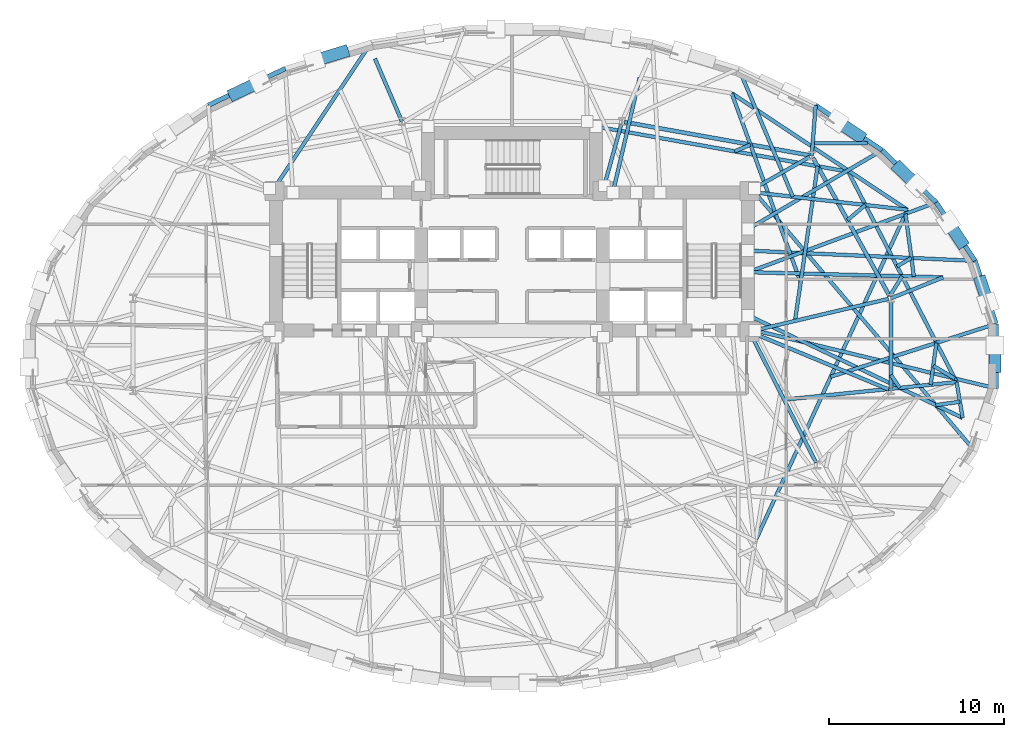
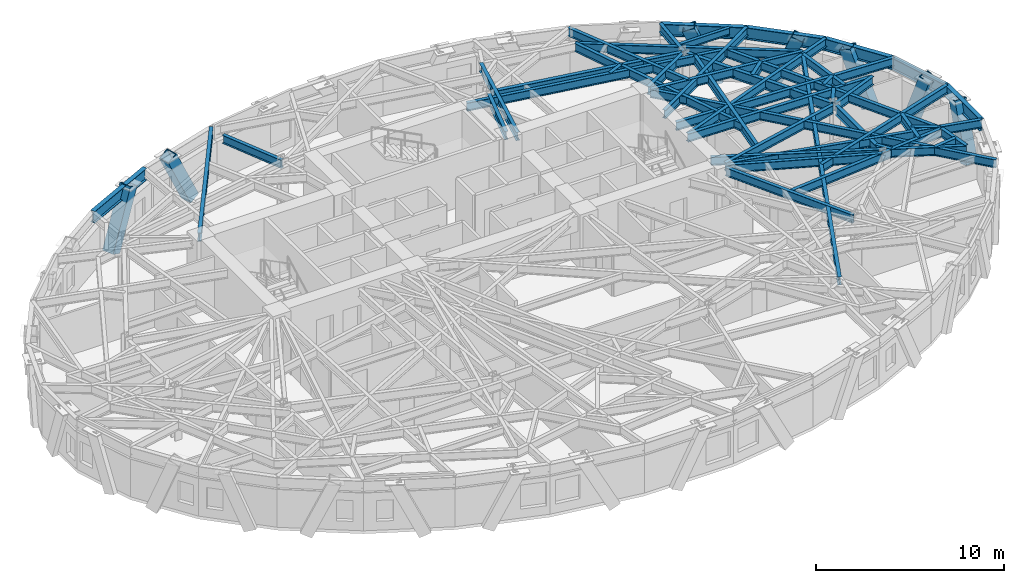
# One storey, part 4 of 14: 47 beams, 7 members.
"""IFC4 building model written with IfcOpenShell, lengths in metres."""

from ifc_helpers import new_model, si_unit, direction, frame, origin, origin_2d, place, context, subcontext, project, spatial, hollow_rectangle, i_section, extrude, material, material_profile, profile_set, type_object, element, save


model = new_model("IFC4")

# Units and contexts
model_context = context("Model", 3, precision=1e-05, world=origin(), true_north=direction((0.0, 1.0)))
body_context = subcontext(model_context, "Body", "Model", "MODEL_VIEW")
ifc_project = project(units=[si_unit("LENGTHUNIT", "METRE"), si_unit("AREAUNIT", "SQUARE_METRE"), si_unit("VOLUMEUNIT", "CUBIC_METRE"), si_unit("PLANEANGLEUNIT", "RADIAN"), si_unit("MASSUNIT", "GRAM", prefix="KILO")], contexts=[model_context])

# Site, building, storey
site_placement = place(None, origin())
site = spatial("IfcSite", under=ifc_project, at=site_placement, CompositionType="ELEMENT")
building_placement = place(site_placement, origin())
building = spatial("IfcBuilding", under=site, at=building_placement, Name="Keldmark Tower", CompositionType="ELEMENT")
storey_placement = place(building_placement, frame((0.0, 0.0, 107.10009765625)))
storey = spatial("IfcBuildingStorey", under=building, at=storey_placement, Name="L28", CompositionType="ELEMENT", Elevation=107.10009765625)

# Beam
ifc_material_1 = material(Name="Steel ASTM A992 Grade 50", Category="steel")
ifc_material_profile_1 = material_profile(ifc_material_1, i_section(OverallWidth=0.19091796875, OverallDepth=0.45703125, WebThickness=0.009033203125, FlangeThickness=0.014404296875, at=origin_2d()), Name="W18X50")
ifc_profile_set_1 = profile_set([ifc_material_profile_1], Name="Steel ASTM A992 Grade 50")
beam_type_1 = type_object("IfcBeamType", Name="Composite Floor Joist W18X50", PredefinedType="JOIST", material=ifc_profile_set_1)
beam_1_placement = place(storey_placement, frame((17.319091796875, 12.199951171875, 3.081298828125), z_axis=(1.0, 0.0, 0.0), x_axis=(0.0, 1.0, 0.0)))
element("IfcBeam", 1, at=beam_1_placement, inside=storey, type_object=beam_type_1, Name="L28 Composite Floor Joist J10", PredefinedType="JOIST", context=body_context, shape_type="SweptSolid", body=[
    extrude(i_section(OverallWidth=0.19091796875, OverallDepth=0.45703125, WebThickness=0.009033203125, FlangeThickness=0.014404296875, at=origin_2d()), origin(), (0.0, 0.0, 1.0), 3.036865234375),
])

# Members
ifc_material_2 = material(Name="Steel ASTM A572 Grade 50", Category="steel")
ifc_material_profile_2 = material_profile(ifc_material_2, hollow_rectangle(XDim=0.699951171875, YDim=0.699951171875, WallThickness=0.044921875, at=origin_2d()), Name="BOX700X700X45")
ifc_profile_set_2 = profile_set([ifc_material_profile_2], Name="Steel ASTM A572 Grade 50")
member_type = type_object("IfcMemberType", Name="Diagrid Zone 2 Brace BOX700X700X45", PredefinedType="BRACE", material=ifc_profile_set_2)
member_1_placement = place(storey_placement, frame((26.860595703125, 4.2470703125, -0.27001953125), z_axis=(0.107952872963, -0.326045509503, 0.939170113958), x_axis=(0.94931811266, 0.314316911692, 0.0)))
element("IfcMember", 2, at=member_1_placement, inside=storey, type_object=member_type, Name="L28 Perimeter Diagrid Brace 01A", PredefinedType="BRACE", context=body_context, shape_type="SweptSolid", body=[
    extrude(hollow_rectangle(XDim=0.699951171875, YDim=0.699951171875, WallThickness=0.044921875, at=origin_2d()), origin(), (0.0, 0.0, 1.0), 3.68408203125),
])
member_2_placement = place(storey_placement, frame((25.721923828125, 6.552734375, -0.27001953125), z_axis=(-0.200274121955, 0.300805941385, 0.932419466604), x_axis=(-0.832386255563, -0.554195923433, 0.0)))
element("IfcMember", 3, at=member_2_placement, inside=storey, type_object=member_type, Name="L28 Perimeter Diagrid Brace 01B", PredefinedType="BRACE", context=body_context, shape_type="SweptSolid", body=[
    extrude(hollow_rectangle(XDim=0.699951171875, YDim=0.699951171875, WallThickness=0.044921875, at=origin_2d()), origin(), (0.0, 0.0, 1.0), 3.710693359375),
])
member_3_placement = place(storey_placement, frame((22.171142578125, 10.764892578125, -0.27001953125), z_axis=(0.276144933571, -0.265716991779, 0.923654944199), x_axis=(0.693370375166, 0.720581378362, 0.0)))
element("IfcMember", 4, at=member_3_placement, inside=storey, type_object=member_type, Name="L28 Perimeter Diagrid Brace 02A", PredefinedType="BRACE", context=body_context, shape_type="SweptSolid", body=[
    extrude(hollow_rectangle(XDim=0.699951171875, YDim=0.699951171875, WallThickness=0.044921875, at=origin_2d()), origin(), (0.0, 0.0, 1.0), 3.745849609375),
])
member_4_placement = place(storey_placement, frame((19.876708984375, 12.60888671875, -0.27001953125), z_axis=(-0.33479314782, 0.226959811273, 0.914550595779), x_axis=(-0.56112680855, -0.827729850088, 0.0)))
element("IfcMember", 5, at=member_4_placement, inside=storey, type_object=member_type, Name="L28 Perimeter Diagrid Brace 02B", PredefinedType="BRACE", context=body_context, shape_type="SweptSolid", body=[
    extrude(hollow_rectangle(XDim=0.699951171875, YDim=0.699951171875, WallThickness=0.044921875, at=origin_2d()), origin(), (0.0, 0.0, 1.0), 3.783203125),
])
member_5_placement = place(storey_placement, frame((-9.674560546875, 17.41845703125, -0.27001953125), z_axis=(-0.426027963394, -0.130385782391, 0.895265168627), x_axis=(0.29265077454, -0.956219391228, 0.0)))
element("IfcMember", 6, at=member_5_placement, inside=storey, type_object=member_type, Name="L28 Perimeter Diagrid Brace 05B", PredefinedType="BRACE", context=body_context, shape_type="SweptSolid", body=[
    extrude(hollow_rectangle(XDim=0.699951171875, YDim=0.699951171875, WallThickness=0.044921875, at=origin_2d()), origin(), (0.0, 0.0, 1.0), 3.86474609375),
])
member_6_placement = place(storey_placement, frame((-15.893310546875, 15.0126953125, -0.27001953125), z_axis=(0.384069397332, 0.183382761287, 0.904909642393), x_axis=(-0.430876766996, 0.902410777674, 0.0)))
element("IfcMember", 7, at=member_6_placement, inside=storey, type_object=member_type, Name="L28 Perimeter Diagrid Brace 06A", PredefinedType="BRACE", context=body_context, shape_type="SweptSolid", body=[
    extrude(hollow_rectangle(XDim=0.699951171875, YDim=0.699951171875, WallThickness=0.044921875, at=origin_2d()), origin(), (0.0, 0.0, 1.0), 3.823486328125),
])
member_7_placement = place(storey_placement, frame((27.656005859375, -0.61083984375, -0.27001953125), z_axis=(0.0, 0.335839528807, 0.941919216754), x_axis=(-1.0, 0.0, 0.0)))
element("IfcMember", 8, at=member_7_placement, inside=storey, type_object=member_type, Name="L28 Perimeter Diagrid Brace 16B", PredefinedType="BRACE", context=body_context, shape_type="SweptSolid", body=[
    extrude(hollow_rectangle(XDim=0.699951171875, YDim=0.699951171875, WallThickness=0.044921875, at=origin_2d()), origin(), (0.0, 0.0, 1.0), 3.67333984375),
])

# Beams
ifc_material_3 = material(Name="Steel ASTM A992 Grade 50", Category="steel")
ifc_material_profile_3 = material_profile(ifc_material_3, i_section(OverallWidth=0.22900390625, OverallDepth=0.612060546875, WebThickness=0.011962890625, FlangeThickness=0.01953125, at=origin_2d()), Name="W24X84")
ifc_profile_set_3 = profile_set([ifc_material_profile_3], Name="Steel ASTM A992 Grade 50")
beam_type_2 = type_object("IfcBeamType", Name="Primary Floor Girder W24X84", PredefinedType="BEAM", material=ifc_profile_set_3)
beam_2_placement = place(storey_placement, frame((21.62890625, 3.432373046875, 3.00390625), z_axis=(-0.484951836703, 0.874540860154, 0.0), x_axis=(-0.874540860154, -0.484951836703, 0.0)))
element("IfcBeam", 9, at=beam_2_placement, inside=storey, type_object=beam_type_2, Name="L28 Floor Ring Girder FG-R01", PredefinedType="BEAM", context=body_context, shape_type="SweptSolid", body=[
    extrude(i_section(OverallWidth=0.22900390625, OverallDepth=0.612060546875, WebThickness=0.011962890625, FlangeThickness=0.01953125, at=origin_2d()), origin(), (0.0, 0.0, 1.0), 9.060302734375),
])
beam_3_placement = place(storey_placement, frame((17.029296875, 11.503173828125, 3.00390625), z_axis=(-0.984218266992, 0.176958760505, 0.0), x_axis=(-0.176958760505, -0.984218266992, 0.0)))
element("IfcBeam", 10, at=beam_3_placement, inside=storey, type_object=beam_type_2, Name="L28 Floor Ring Girder FG-R02", PredefinedType="BEAM", context=body_context, shape_type="SweptSolid", body=[
    extrude(i_section(OverallWidth=0.22900390625, OverallDepth=0.612060546875, WebThickness=0.011962890625, FlangeThickness=0.01953125, at=origin_2d()), origin(), (0.0, 0.0, 1.0), 10.7626953125),
])
beam_4_placement = place(storey_placement, frame((21.697021484375, -1.825927734375, 3.00390625), z_axis=(0.0, 1.0, 0.0), x_axis=(-1.0, 0.0, 0.0)))
element("IfcBeam", 11, at=beam_4_placement, inside=storey, type_object=beam_type_2, Name="L28 Floor Ring Girder FG-R12", PredefinedType="BEAM", context=body_context, shape_type="SweptSolid", body=[
    extrude(i_section(OverallWidth=0.22900390625, OverallDepth=0.612060546875, WebThickness=0.011962890625, FlangeThickness=0.01953125, at=origin_2d()), origin(), (0.0, 0.0, 1.0), 4.995849609375),
])
ifc_material_4 = material(Name="Steel ASTM A992 Grade 50", Category="steel")
ifc_material_profile_4 = material_profile(ifc_material_4, i_section(OverallWidth=0.2099609375, OverallDepth=0.537109375, WebThickness=0.010986328125, FlangeThickness=0.017333984375, at=origin_2d()), Name="W21X68")
ifc_profile_set_4 = profile_set([ifc_material_profile_4], Name="Steel ASTM A992 Grade 50")
beam_type_3 = type_object("IfcBeamType", Name="Radial Tie Girder W21X68", PredefinedType="BEAM", material=ifc_profile_set_4)
beam_5_placement = place(storey_placement, frame((21.560546875, 3.27783203125, 3.04150390625), z_axis=(-0.973283778272, -0.229605502879, 0.0), x_axis=(0.229605502879, -0.973283778272, 0.0)))
element("IfcBeam", 12, at=beam_5_placement, inside=storey, type_object=beam_type_3, Name="L28 Floor Radial Girder FG-C01", PredefinedType="BEAM", context=body_context, shape_type="SweptSolid", body=[
    extrude(i_section(OverallWidth=0.2099609375, OverallDepth=0.537109375, WebThickness=0.010986328125, FlangeThickness=0.017333984375, at=origin_2d()), origin(), (0.0, 0.0, 1.0), 7.85888671875),
])
beam_6_placement = place(storey_placement, frame((17.04541015625, 11.4091796875, 3.04150390625), z_axis=(-0.86928447329, -0.494312152892, 0.0), x_axis=(0.494312152892, -0.86928447329, 0.0)))
element("IfcBeam", 13, at=beam_6_placement, inside=storey, type_object=beam_type_3, Name="L28 Floor Radial Girder FG-C02", PredefinedType="BEAM", context=body_context, shape_type="SweptSolid", body=[
    extrude(i_section(OverallWidth=0.2099609375, OverallDepth=0.537109375, WebThickness=0.010986328125, FlangeThickness=0.017333984375, at=origin_2d()), origin(), (0.0, 0.0, 1.0), 3.6435546875),
])
beam_7_placement = place(storey_placement, frame((6.26171875, 13.297607421875, 3.04150390625), z_axis=(-0.265997186795, -0.963973804944, 0.0), x_axis=(0.963973804944, -0.265997186795, 0.0)))
element("IfcBeam", 14, at=beam_7_placement, inside=storey, type_object=beam_type_3, Name="L28 Floor Radial Girder FG-C03", PredefinedType="BEAM", context=body_context, shape_type="SweptSolid", body=[
    extrude(i_section(OverallWidth=0.2099609375, OverallDepth=0.537109375, WebThickness=0.010986328125, FlangeThickness=0.017333984375, at=origin_2d()), origin(), (0.0, 0.0, 1.0), 3.67138671875),
])
beam_8_placement = place(storey_placement, frame((17.413818359375, -6.104736328125, 3.04150390625), z_axis=(-0.453028637759, 0.891495963743, 0.0), x_axis=(-0.891495963743, -0.453028637759, 0.0)))
element("IfcBeam", 15, at=beam_8_placement, inside=storey, type_object=beam_type_3, Name="L28 Floor Radial Girder FG-C11", PredefinedType="BEAM", context=body_context, shape_type="SweptSolid", body=[
    extrude(i_section(OverallWidth=0.2099609375, OverallDepth=0.537109375, WebThickness=0.010986328125, FlangeThickness=0.017333984375, at=origin_2d()), origin(), (0.0, 0.0, 1.0), 8.09814453125),
])
beam_9_placement = place(storey_placement, frame((21.567626953125, -1.912109375, 3.04150390625), z_axis=(-0.923397393633, 0.383845350932, 0.0), x_axis=(-0.383845350932, -0.923397393633, 0.0)))
element("IfcBeam", 16, at=beam_9_placement, inside=storey, type_object=beam_type_3, Name="L28 Floor Radial Girder FG-C12", PredefinedType="BEAM", context=body_context, shape_type="SweptSolid", body=[
    extrude(i_section(OverallWidth=0.2099609375, OverallDepth=0.537109375, WebThickness=0.010986328125, FlangeThickness=0.017333984375, at=origin_2d()), origin(), (0.0, 0.0, 1.0), 8.30859375),
])
beam_10_placement = place(storey_placement, frame((16.206298828125, 2.014892578125, 3.04150390625), z_axis=(0.144668966659, 0.989480111011, 0.0), x_axis=(-0.989480111011, 0.144668966659, 0.0)))
element("IfcBeam", 17, at=beam_10_placement, inside=storey, type_object=beam_type_3, Name="L28 Framing Pin Header PH-001", PredefinedType="BEAM", context=body_context, shape_type="SweptSolid", body=[
    extrude(i_section(OverallWidth=0.2099609375, OverallDepth=0.537109375, WebThickness=0.010986328125, FlangeThickness=0.017333984375, at=origin_2d()), origin(), (0.0, 0.0, 1.0), 8.954345703125),
])
beam_11_placement = place(storey_placement, frame((4.800048828125, 13.14990234375, 3.04150390625), z_axis=(0.984336944595, -0.176297417749, 0.0), x_axis=(0.176297417749, 0.984336944595, 0.0)))
element("IfcBeam", 18, at=beam_11_placement, inside=storey, type_object=beam_type_3, Name="L28 Sub-Ring Step Girder STP1-M01", PredefinedType="BEAM", context=body_context, shape_type="SweptSolid", body=[
    extrude(i_section(OverallWidth=0.2099609375, OverallDepth=0.537109375, WebThickness=0.010986328125, FlangeThickness=0.017333984375, at=origin_2d()), origin(), (0.0, 0.0, 1.0), 14.688720703125),
])
beam_12_placement = place(storey_placement, frame((21.697021484375, -1.076416015625, 3.04150390625), z_axis=(0.566712846815, -0.823915377484, 0.0), x_axis=(0.823915377484, 0.566712846815, 0.0)))
element("IfcBeam", 19, at=beam_12_placement, inside=storey, type_object=beam_type_3, Name="L28 Framing Pin Header PH-007", PredefinedType="BEAM", context=body_context, shape_type="SweptSolid", body=[
    extrude(i_section(OverallWidth=0.2099609375, OverallDepth=0.537109375, WebThickness=0.010986328125, FlangeThickness=0.017333984375, at=origin_2d()), origin(), (0.0, 0.0, 1.0), 0.90087890625),
])
beam_13_placement = place(storey_placement, frame((15.57958984375, -2.4951171875, 3.04150390625), z_axis=(0.994834649081, 0.101508723705, 0.0), x_axis=(-0.101508723705, 0.994834649081, 0.0)))
element("IfcBeam", 20, at=beam_13_placement, inside=storey, type_object=beam_type_3, Name="L28 Sub-Ring Step Girder STP1-M12", PredefinedType="BEAM", context=body_context, shape_type="SweptSolid", body=[
    extrude(i_section(OverallWidth=0.2099609375, OverallDepth=0.537109375, WebThickness=0.010986328125, FlangeThickness=0.017333984375, at=origin_2d()), origin(), (0.0, 0.0, 1.0), 9.93310546875),
])
beam_14_placement = place(storey_placement, frame((25.46142578125, -1.48681640625, 3.04150390625), z_axis=(-0.457755076319, 0.889078337439, 0.0), x_axis=(-0.889078337439, -0.457755076319, 0.0)))
element("IfcBeam", 21, at=beam_14_placement, inside=storey, type_object=beam_type_3, Name="L28 Perimeter Collector Ring Beam CRG1-M12", PredefinedType="BEAM", context=body_context, shape_type="SweptSolid", body=[
    extrude(i_section(OverallWidth=0.2099609375, OverallDepth=0.537109375, WebThickness=0.010986328125, FlangeThickness=0.017333984375, at=origin_2d()), origin(), (0.0, 0.0, 1.0), 13.550048828125),
])
beam_15_placement = place(storey_placement, frame((19.21240234375, 7.790283203125, 3.04150390625), z_axis=(0.76581591472, 0.643059860947, 0.0), x_axis=(-0.643059860947, 0.76581591472, 0.0)))
element("IfcBeam", 22, at=beam_15_placement, inside=storey, type_object=beam_type_3, Name="L28 Framing Pin Header PH-008", PredefinedType="BEAM", context=body_context, shape_type="SweptSolid", body=[
    extrude(i_section(OverallWidth=0.2099609375, OverallDepth=0.537109375, WebThickness=0.010986328125, FlangeThickness=0.017333984375, at=origin_2d()), origin(), (0.0, 0.0, 1.0), 1.342529296875),
])
beam_16_placement = place(storey_placement, frame((13.89990234375, 9.375, 3.04150390625), z_axis=(0.993589889236, -0.113044823008, 0.0), x_axis=(0.113044823008, 0.993589889236, 0.0)))
element("IfcBeam", 23, at=beam_16_placement, inside=storey, type_object=beam_type_3, Name="L28 Sub-Ring Step Girder STP2-M01", PredefinedType="BEAM", context=body_context, shape_type="SweptSolid", body=[
    extrude(i_section(OverallWidth=0.2099609375, OverallDepth=0.537109375, WebThickness=0.010986328125, FlangeThickness=0.017333984375, at=origin_2d()), origin(), (0.0, 0.0, 1.0), 8.79638671875),
])
beam_17_placement = place(storey_placement, frame((12.752197265625, 11.7255859375, 3.04150390625), z_axis=(0.920286144386, 0.391245974357, 0.0), x_axis=(-0.391245974357, 0.920286144386, 0.0)))
element("IfcBeam", 24, at=beam_17_placement, inside=storey, type_object=beam_type_3, Name="L28 Framing Pin Header PH-009", PredefinedType="BEAM", context=body_context, shape_type="SweptSolid", body=[
    extrude(i_section(OverallWidth=0.2099609375, OverallDepth=0.537109375, WebThickness=0.010986328125, FlangeThickness=0.017333984375, at=origin_2d()), origin(), (0.0, 0.0, 1.0), 0.9814453125),
])
beam_18_placement = place(storey_placement, frame((16.530029296875, 4.22998046875, 3.04150390625), z_axis=(-0.342719452961, 0.939437798134, 0.0), x_axis=(-0.939437798134, -0.342719452961, 0.0)))
element("IfcBeam", 25, at=beam_18_placement, inside=storey, type_object=beam_type_3, Name="L28 Sub-Ring Step Girder STP2-M02", PredefinedType="BEAM", context=body_context, shape_type="SweptSolid", body=[
    extrude(i_section(OverallWidth=0.2099609375, OverallDepth=0.537109375, WebThickness=0.010986328125, FlangeThickness=0.017333984375, at=origin_2d()), origin(), (0.0, 0.0, 1.0), 11.521728515625),
])
beam_19_placement = place(storey_placement, frame((22.639892578125, 8.380615234375, 3.04150390625), z_axis=(-0.833286637713, 0.552841188234, 0.0), x_axis=(-0.552841188234, -0.833286637713, 0.0)))
element("IfcBeam", 26, at=beam_19_placement, inside=storey, type_object=beam_type_3, Name="L28 Perimeter Collector Ring Beam CRG2-M01", PredefinedType="BEAM", context=body_context, shape_type="SweptSolid", body=[
    extrude(i_section(OverallWidth=0.2099609375, OverallDepth=0.537109375, WebThickness=0.010986328125, FlangeThickness=0.017333984375, at=origin_2d()), origin(), (0.0, 0.0, 1.0), 12.071044921875),
])
beam_20_placement = place(storey_placement, frame((13.866455078125, -10.743896484375, 3.04150390625), z_axis=(0.416970317331, 0.908920103455, 0.0), x_axis=(-0.908920103455, 0.416970317331, 0.0)))
element("IfcBeam", 27, at=beam_20_placement, inside=storey, type_object=beam_type_3, Name="L28 Perimeter Collector Ring Beam CRG2-M11", PredefinedType="BEAM", context=body_context, shape_type="SweptSolid", body=[
    extrude(i_section(OverallWidth=0.2099609375, OverallDepth=0.537109375, WebThickness=0.010986328125, FlangeThickness=0.017333984375, at=origin_2d()), origin(), (0.0, 0.0, 1.0), 21.041015625),
])
beam_21_placement = place(storey_placement, frame((23.97900390625, -1.637939453125, 3.04150390625), z_axis=(0.135198813671, 0.990818490331, 0.0), x_axis=(-0.990818490331, 0.135198813671, 0.0)))
element("IfcBeam", 28, at=beam_21_placement, inside=storey, type_object=beam_type_3, Name="L28 Framing Pin Header PH-015", PredefinedType="BEAM", context=body_context, shape_type="SweptSolid", body=[
    extrude(i_section(OverallWidth=0.2099609375, OverallDepth=0.537109375, WebThickness=0.010986328125, FlangeThickness=0.017333984375, at=origin_2d()), origin(), (0.0, 0.0, 1.0), 2.41796875),
])
beam_22_placement = place(storey_placement, frame((18.253173828125, -1.181640625, 3.04150390625), z_axis=(0.952301970489, 0.305157266015, 0.0), x_axis=(-0.305157266015, 0.952301970489, 0.0)))
element("IfcBeam", 29, at=beam_22_placement, inside=storey, type_object=beam_type_3, Name="L28 Perimeter Radial Tie Girder RT-01", PredefinedType="BEAM", context=body_context, shape_type="SweptSolid", body=[
    extrude(i_section(OverallWidth=0.2099609375, OverallDepth=0.537109375, WebThickness=0.010986328125, FlangeThickness=0.017333984375, at=origin_2d()), origin(), (0.0, 0.0, 1.0), 9.9365234375),
])
beam_23_placement = place(storey_placement, frame((21.62890625, 3.432373046875, 3.04150390625), z_axis=(0.529656264599, 0.848212379874, 0.0), x_axis=(-0.848212379874, 0.529656264599, 0.0)))
element("IfcBeam", 30, at=beam_23_placement, inside=storey, type_object=beam_type_3, Name="L28 Framing Pin Header PH-016", PredefinedType="BEAM", context=body_context, shape_type="SweptSolid", body=[
    extrude(i_section(OverallWidth=0.2099609375, OverallDepth=0.537109375, WebThickness=0.010986328125, FlangeThickness=0.017333984375, at=origin_2d()), origin(), (0.0, 0.0, 1.0), 1.344970703125),
])
beam_24_placement = place(storey_placement, frame((13.52490234375, 4.80712890625, 3.04150390625), z_axis=(0.999648483101, -0.026512454303, 0.0), x_axis=(0.026512454303, 0.999648483101, 0.0)))
element("IfcBeam", 31, at=beam_24_placement, inside=storey, type_object=beam_type_3, Name="L28 Intermediate Radial Step Girder RT-02M", PredefinedType="BEAM", context=body_context, shape_type="SweptSolid", body=[
    extrude(i_section(OverallWidth=0.2099609375, OverallDepth=0.537109375, WebThickness=0.010986328125, FlangeThickness=0.017333984375, at=origin_2d()), origin(), (0.0, 0.0, 1.0), 11.169921875),
])
beam_25_placement = place(storey_placement, frame((21.697021484375, 3.309814453125, 3.04150390625), z_axis=(0.928089948951, 0.372356075091, 0.0), x_axis=(-0.372356075091, 0.928089948951, 0.0)))
element("IfcBeam", 32, at=beam_25_placement, inside=storey, type_object=beam_type_3, Name="L28 Local Collector Chord RT-02C", PredefinedType="BEAM", context=body_context, shape_type="SweptSolid", body=[
    extrude(i_section(OverallWidth=0.2099609375, OverallDepth=0.537109375, WebThickness=0.010986328125, FlangeThickness=0.017333984375, at=origin_2d()), origin(), (0.0, 0.0, 1.0), 3.225830078125),
])
beam_26_placement = place(storey_placement, frame((23.01611328125, 4.555419921875, 3.04150390625), z_axis=(-0.132886845037, 0.991131215539, 0.0), x_axis=(-0.991131215539, -0.132886845037, 0.0)))
element("IfcBeam", 33, at=beam_26_placement, inside=storey, type_object=beam_type_3, Name="L28 Framing Pin Header PH-017", PredefinedType="BEAM", context=body_context, shape_type="SweptSolid", body=[
    extrude(i_section(OverallWidth=0.2099609375, OverallDepth=0.537109375, WebThickness=0.010986328125, FlangeThickness=0.017333984375, at=origin_2d()), origin(), (0.0, 0.0, 1.0), 3.626708984375),
])
beam_27_placement = place(storey_placement, frame((13.52490234375, 4.80712890625, 3.04150390625), z_axis=(0.93754475098, 0.347864686206, 0.0), x_axis=(-0.347864686206, 0.93754475098, 0.0)))
element("IfcBeam", 34, at=beam_27_placement, inside=storey, type_object=beam_type_3, Name="L28 Perimeter Radial Tie Girder RT-03", PredefinedType="BEAM", context=body_context, shape_type="SweptSolid", body=[
    extrude(i_section(OverallWidth=0.2099609375, OverallDepth=0.537109375, WebThickness=0.010986328125, FlangeThickness=0.017333984375, at=origin_2d()), origin(), (0.0, 0.0, 1.0), 11.4853515625),
])
beam_28_placement = place(storey_placement, frame((13.52490234375, 7.278564453125, 3.04150390625), z_axis=(0.861869987835, 0.50712929719, 0.0), x_axis=(-0.50712929719, 0.861869987835, 0.0)))
element("IfcBeam", 35, at=beam_28_placement, inside=storey, type_object=beam_type_3, Name="L28 Perimeter Radial Tie Girder RT-04", PredefinedType="BEAM", context=body_context, shape_type="SweptSolid", body=[
    extrude(i_section(OverallWidth=0.2099609375, OverallDepth=0.537109375, WebThickness=0.010986328125, FlangeThickness=0.017333984375, at=origin_2d()), origin(), (0.0, 0.0, 1.0), 8.893310546875),
])
beam_29_placement = place(storey_placement, frame((17.1669921875, 11.478271484375, 3.04150390625), z_axis=(0.077006087343, 0.997030622655, 0.0), x_axis=(-0.997030622655, 0.077006087343, 0.0)))
element("IfcBeam", 36, at=beam_29_placement, inside=storey, type_object=beam_type_3, Name="L28 Perimeter Column Bracket RT-05", PredefinedType="BEAM", context=body_context, shape_type="SweptSolid", body=[
    extrude(i_section(OverallWidth=0.2099609375, OverallDepth=0.537109375, WebThickness=0.010986328125, FlangeThickness=0.017333984375, at=origin_2d()), origin(), (0.0, 0.0, 1.0), 2.89453125),
])
beam_30_placement = place(storey_placement, frame((16.0849609375, 9.12646484375, 3.04150390625), z_axis=(-0.389007281496, 0.921234679625, 0.0), x_axis=(-0.921234679625, -0.389007281496, 0.0)))
element("IfcBeam", 37, at=beam_30_placement, inside=storey, type_object=beam_type_3, Name="L28 Perimeter Radial Tie Girder RT-06", PredefinedType="BEAM", context=body_context, shape_type="SweptSolid", body=[
    extrude(i_section(OverallWidth=0.2099609375, OverallDepth=0.537109375, WebThickness=0.010986328125, FlangeThickness=0.017333984375, at=origin_2d()), origin(), (0.0, 0.0, 1.0), 7.96923828125),
])
beam_31_placement = place(storey_placement, frame((5.778564453125, 9.375, 3.04150390625), z_axis=(0.227013356971, 0.973891644772, 0.0), x_axis=(-0.973891644772, 0.227013356971, 0.0)))
element("IfcBeam", 38, at=beam_31_placement, inside=storey, type_object=beam_type_3, Name="L28 Intermediate Radial Step Girder RT-07M", PredefinedType="BEAM", context=body_context, shape_type="SweptSolid", body=[
    extrude(i_section(OverallWidth=0.2099609375, OverallDepth=0.537109375, WebThickness=0.010986328125, FlangeThickness=0.017333984375, at=origin_2d()), origin(), (0.0, 0.0, 1.0), 6.7451171875),
])
beam_32_placement = place(storey_placement, frame((-13.52490234375, 9.75, 3.04150390625), z_axis=(0.554204321009, 0.832380664465, 0.0), x_axis=(-0.832380664465, 0.554204321009, 0.0)))
element("IfcBeam", 39, at=beam_32_placement, inside=storey, type_object=beam_type_3, Name="L28 Perimeter Radial Tie Girder RT-10", PredefinedType="BEAM", context=body_context, shape_type="SweptSolid", body=[
    extrude(i_section(OverallWidth=0.2099609375, OverallDepth=0.537109375, WebThickness=0.010986328125, FlangeThickness=0.017333984375, at=origin_2d()), origin(), (0.0, 0.0, 1.0), 9.88671875),
])
beam_33_placement = place(storey_placement, frame((13.52490234375, 2.335693359375, 3.04150390625), z_axis=(0.90204710239, -0.431637608498, 0.0), x_axis=(0.431637608498, 0.90204710239, 0.0)))
element("IfcBeam", 40, at=beam_33_placement, inside=storey, type_object=beam_type_3, Name="L28 Intermediate Radial Step Girder RT-31M", PredefinedType="BEAM", context=body_context, shape_type="SweptSolid", body=[
    extrude(i_section(OverallWidth=0.2099609375, OverallDepth=0.537109375, WebThickness=0.010986328125, FlangeThickness=0.017333984375, at=origin_2d()), origin(), (0.0, 0.0, 1.0), 13.61376953125),
])
beam_34_placement = place(storey_placement, frame((25.46142578125, -1.48681640625, 3.04150390625), z_axis=(0.165083415203, -0.98627960844, 0.0), x_axis=(0.98627960844, 0.165083415203, 0.0)))
element("IfcBeam", 41, at=beam_34_placement, inside=storey, type_object=beam_type_3, Name="L28 Local Collector Chord RT-31C", PredefinedType="BEAM", context=body_context, shape_type="SweptSolid", body=[
    extrude(i_section(OverallWidth=0.2099609375, OverallDepth=0.537109375, WebThickness=0.010986328125, FlangeThickness=0.017333984375, at=origin_2d()), origin(), (0.0, 0.0, 1.0), 2.082275390625),
])
beam_35_placement = place(storey_placement, frame((25.650390625, -2.6162109375, 3.04150390625), z_axis=(-0.99083868224, -0.135050752594, 0.0), x_axis=(0.135050752594, -0.99083868224, 0.0)))
element("IfcBeam", 42, at=beam_35_placement, inside=storey, type_object=beam_type_3, Name="L28 Framing Pin Header PH-045", PredefinedType="BEAM", context=body_context, shape_type="SweptSolid", body=[
    extrude(i_section(OverallWidth=0.2099609375, OverallDepth=0.537109375, WebThickness=0.010986328125, FlangeThickness=0.017333984375, at=origin_2d()), origin(), (0.0, 0.0, 1.0), 1.3955078125),
])
beam_36_placement = place(storey_placement, frame((13.89990234375, 9.375, 3.04150390625), z_axis=(0.64818684665, -0.761481327302, 0.0), x_axis=(0.761481327302, 0.64818684665, 0.0)))
element("IfcBeam", 43, at=beam_36_placement, inside=storey, type_object=beam_type_3, Name="L28 Perimeter Radial Tie Girder RT-31", PredefinedType="BEAM", context=body_context, shape_type="SweptSolid", body=[
    extrude(i_section(OverallWidth=0.2099609375, OverallDepth=0.537109375, WebThickness=0.010986328125, FlangeThickness=0.017333984375, at=origin_2d()), origin(), (0.0, 0.0, 1.0), 19.47412109375),
])
beam_37_placement = place(storey_placement, frame((24.126220703125, -0.559814453125, 3.04150390625), z_axis=(0.862123315509, -0.506698518702, 0.0), x_axis=(0.506698518702, 0.862123315509, 0.0)))
element("IfcBeam", 44, at=beam_37_placement, inside=storey, type_object=beam_type_3, Name="L28 Framing Pin Header PH-046", PredefinedType="BEAM", context=body_context, shape_type="SweptSolid", body=[
    extrude(i_section(OverallWidth=0.2099609375, OverallDepth=0.537109375, WebThickness=0.010986328125, FlangeThickness=0.017333984375, at=origin_2d()), origin(), (0.0, 0.0, 1.0), 1.4267578125),
])
beam_38_placement = place(storey_placement, frame((13.89990234375, 1.47509765625, 3.04150390625), z_axis=(0.972229573355, -0.234029179152, 0.0), x_axis=(0.234029179152, 0.972229573355, 0.0)))
element("IfcBeam", 45, at=beam_38_placement, inside=storey, type_object=beam_type_3, Name="L28 Perimeter Radial Tie Girder RT-32", PredefinedType="BEAM", context=body_context, shape_type="SweptSolid", body=[
    extrude(i_section(OverallWidth=0.2099609375, OverallDepth=0.537109375, WebThickness=0.010986328125, FlangeThickness=0.017333984375, at=origin_2d()), origin(), (0.0, 0.0, 1.0), 14.21044921875),
])
beam_39_placement = place(storey_placement, frame((-6.298828125, 13.4326171875, 3.04150390625), z_axis=(-0.395437186935, 0.918493021851, 0.0), x_axis=(-0.918493021851, -0.395437186935, 0.0)))
element("IfcBeam", 46, at=beam_39_placement, inside=storey, type_object=beam_type_3, Name="L28 North Column Cantilever Girder West FG-TCN-W", PredefinedType="BEAM", context=body_context, shape_type="SweptSolid", body=[
    extrude(i_section(OverallWidth=0.2099609375, OverallDepth=0.537109375, WebThickness=0.010986328125, FlangeThickness=0.017333984375, at=origin_2d()), origin(), (0.0, 0.0, 1.0), 3.919921875),
])
beam_40_placement = place(storey_placement, frame((22.0498046875, 5.13916015625, 3.04150390625), z_axis=(0.863843915315, 0.503759555714, 0.0), x_axis=(-0.503759555714, 0.863843915315, 0.0)))
element("IfcBeam", 47, at=beam_40_placement, inside=storey, type_object=beam_type_3, Name="L28 Framing Pin Header PH-047", PredefinedType="BEAM", context=body_context, shape_type="SweptSolid", body=[
    extrude(i_section(OverallWidth=0.2099609375, OverallDepth=0.537109375, WebThickness=0.010986328125, FlangeThickness=0.017333984375, at=origin_2d()), origin(), (0.0, 0.0, 1.0), 0.953369140625),
])
beam_41_placement = place(storey_placement, frame((13.52490234375, 6.04296875, 3.04150390625), z_axis=(0.998975299612, -0.045258709267, 0.0), x_axis=(0.045258709267, 0.998975299612, 0.0)))
element("IfcBeam", 48, at=beam_41_placement, inside=storey, type_object=beam_type_3, Name="L28 Perimeter Radial Tie Girder RT-02R", PredefinedType="BEAM", context=body_context, shape_type="SweptSolid", body=[
    extrude(i_section(OverallWidth=0.2099609375, OverallDepth=0.537109375, WebThickness=0.010986328125, FlangeThickness=0.017333984375, at=origin_2d()), origin(), (0.0, 0.0, 1.0), 13.01123046875),
])
ifc_material_5 = material(Name="Steel ASTM A992 Grade 50", Category="steel")
ifc_material_profile_5 = material_profile(ifc_material_5, i_section(OverallWidth=0.26806640625, OverallDepth=0.77001953125, WebThickness=0.015625, FlangeThickness=0.025390625, at=origin_2d()), Name="W30X132")
ifc_profile_set_5 = profile_set([ifc_material_profile_5], Name="Steel ASTM A992 Grade 50")
beam_type_4 = type_object("IfcBeamType", Name="Spandrel Ring Beam W30X132", PredefinedType="SPANDREL", material=ifc_profile_set_5)
beam_42_placement = place(storey_placement, frame((27.7158203125, 1.8505859375, 2.9248046875), z_axis=(-0.314316911692, 0.94931811266, 0.0), x_axis=(-0.94931811266, -0.314316911692, 0.0)))
element("IfcBeam", 49, at=beam_42_placement, inside=storey, type_object=beam_type_4, Name="L28 Perimeter Spandrel Ring Beam SRB-01", PredefinedType="SPANDREL", context=body_context, shape_type="SweptSolid", body=[
    extrude(i_section(OverallWidth=0.26806640625, OverallDepth=0.77001953125, WebThickness=0.015625, FlangeThickness=0.025390625, at=origin_2d()), origin(), (0.0, 0.0, 1.0), 3.7958984375),
])
beam_43_placement = place(storey_placement, frame((26.522705078125, 5.4541015625, 2.9248046875), z_axis=(-0.554265966169, 0.832339617432, 0.0), x_axis=(-0.832339617432, -0.554265966169, 0.0)))
element("IfcBeam", 50, at=beam_43_placement, inside=storey, type_object=beam_type_4, Name="L28 Perimeter Spandrel Ring Beam SRB-02", PredefinedType="SPANDREL", context=body_context, shape_type="SweptSolid", body=[
    extrude(i_section(OverallWidth=0.26806640625, OverallDepth=0.77001953125, WebThickness=0.015625, FlangeThickness=0.025390625, at=origin_2d()), origin(), (0.0, 0.0, 1.0), 4.02294921875),
])
beam_44_placement = place(storey_placement, frame((24.29296875, 8.802490234375, 2.9248046875), z_axis=(-0.720581378362, 0.693370375166, 0.0), x_axis=(-0.693370375166, -0.720581378362, 0.0)))
element("IfcBeam", 51, at=beam_44_placement, inside=storey, type_object=beam_type_4, Name="L28 Perimeter Spandrel Ring Beam SRB-03", PredefinedType="SPANDREL", context=body_context, shape_type="SweptSolid", body=[
    extrude(i_section(OverallWidth=0.26806640625, OverallDepth=0.77001953125, WebThickness=0.015625, FlangeThickness=0.025390625, at=origin_2d()), origin(), (0.0, 0.0, 1.0), 4.306640625),
])
beam_45_placement = place(storey_placement, frame((21.189697265625, 11.78857421875, 2.9248046875), z_axis=(-0.827754551165, 0.56109036975, 0.0), x_axis=(-0.56109036975, -0.827754551165, 0.0)))
element("IfcBeam", 52, at=beam_45_placement, inside=storey, type_object=beam_type_4, Name="L28 Perimeter Spandrel Ring Beam SRB-04", PredefinedType="SPANDREL", context=body_context, shape_type="SweptSolid", body=[
    extrude(i_section(OverallWidth=0.26806640625, OverallDepth=0.77001953125, WebThickness=0.015625, FlangeThickness=0.025390625, at=origin_2d()), origin(), (0.0, 0.0, 1.0), 4.590576171875),
])
beam_46_placement = place(storey_placement, frame((-12.98486328125, 16.468017578125, 2.9248046875), z_axis=(-0.902372757907, -0.430956385018, 0.0), x_axis=(0.430956385018, -0.902372757907, 0.0)))
element("IfcBeam", 53, at=beam_46_placement, inside=storey, type_object=beam_type_4, Name="L28 Perimeter Spandrel Ring Beam SRB-11", PredefinedType="SPANDREL", context=body_context, shape_type="SweptSolid", body=[
    extrude(i_section(OverallWidth=0.26806640625, OverallDepth=0.77001953125, WebThickness=0.015625, FlangeThickness=0.025390625, at=origin_2d()), origin(), (0.0, 0.0, 1.0), 4.881591796875),
])
beam_47_placement = place(storey_placement, frame((27.7158203125, -1.8505859375, 2.9248046875), z_axis=(0.0, 1.0, 0.0), x_axis=(-1.0, 0.0, 0.0)))
element("IfcBeam", 54, at=beam_47_placement, inside=storey, type_object=beam_type_4, Name="L28 Perimeter Spandrel Ring Beam SRB-32", PredefinedType="SPANDREL", context=body_context, shape_type="SweptSolid", body=[
    extrude(i_section(OverallWidth=0.26806640625, OverallDepth=0.77001953125, WebThickness=0.015625, FlangeThickness=0.025390625, at=origin_2d()), origin(), (0.0, 0.0, 1.0), 3.701171875),
])

save(model, "model.ifc")
